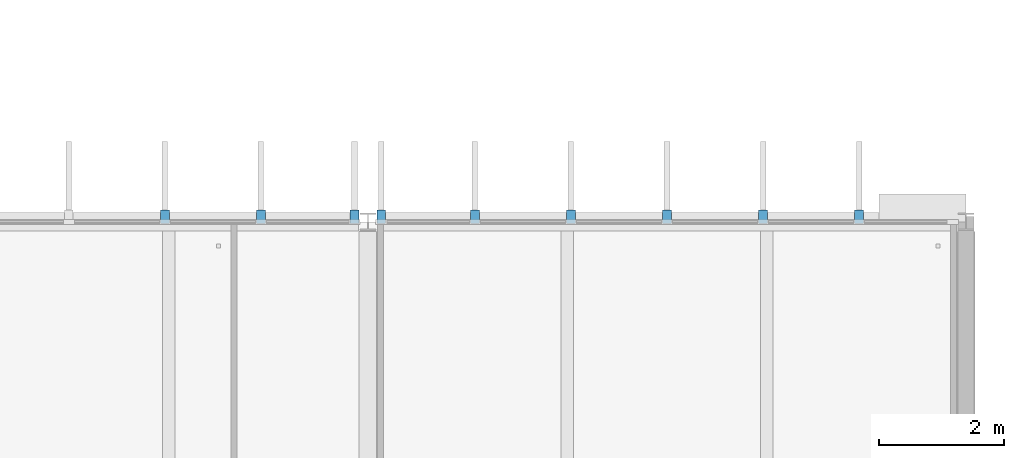
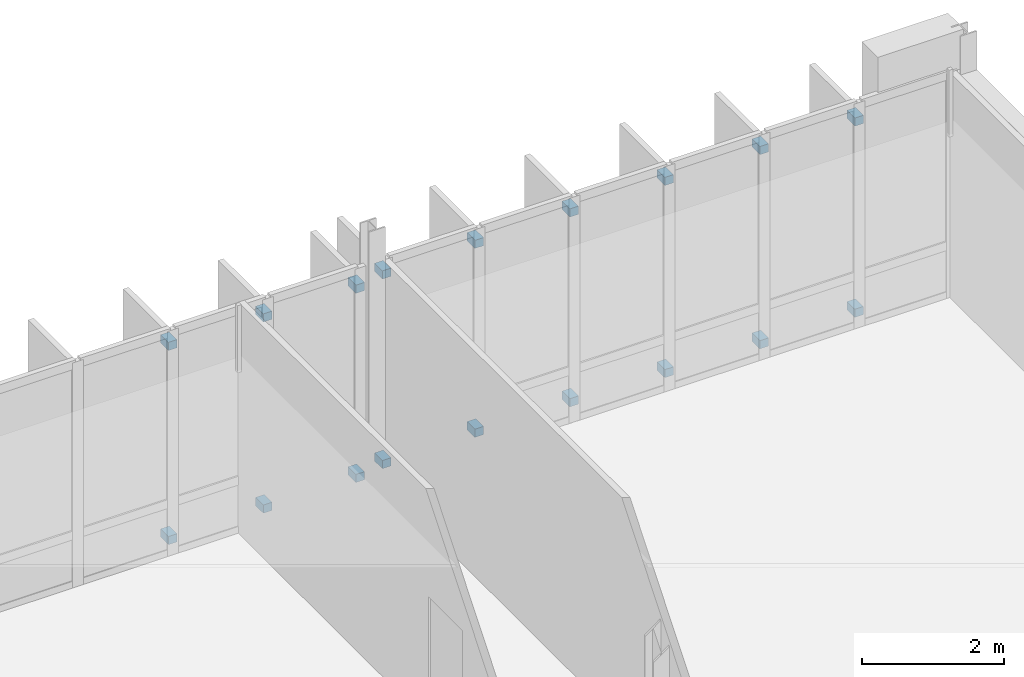
# One storey, part 83 of 93: 18 discrete accessories.
"""IFC4 building model written with IfcOpenShell, lengths in metres."""

from ifc_helpers import new_model, si_unit, direction, frame, origin, origin_2d, place, context, subcontext, project, spatial, rectangle, extrude, material, type_object, element, save


model = new_model("IFC4")

# Units and contexts
model_context = context("Model", 3, precision=1e-05, world=origin(), true_north=direction((0.0, 1.0)))
body_context = subcontext(model_context, "Body", "Model", "MODEL_VIEW")
ifc_project = project(units=[si_unit("LENGTHUNIT", "METRE"), si_unit("AREAUNIT", "SQUARE_METRE"), si_unit("VOLUMEUNIT", "CUBIC_METRE"), si_unit("PLANEANGLEUNIT", "RADIAN"), si_unit("MASSUNIT", "GRAM", prefix="KILO")], contexts=[model_context])

# Site, building, storey
site_placement = place(None, origin())
site = spatial("IfcSite", under=ifc_project, at=site_placement, CompositionType="ELEMENT")
building_placement = place(site_placement, origin())
building = spatial("IfcBuilding", under=site, at=building_placement, Name="Dunescarp Central Library", CompositionType="ELEMENT")
storey_placement = place(building_placement, frame((0.0, 0.0, 14.10009765625)))
storey = spatial("IfcBuildingStorey", under=building, at=storey_placement, Name="L03", CompositionType="ELEMENT", Elevation=14.10009765625)

# Discrete accessories
ifc_material = material(Name="Stainless steel Grade 316L", Category="steel")
discrete_accessory_type = type_object("IfcDiscreteAccessoryType", Name="ARC-ACC-BRK", PredefinedType="BRACKET", material=ifc_material)
for number, where, z_axis, x_axis, name in (
    (1, (63.94189453125, 36.8798828125, 0.18994140625), (0.0, 0.0, 1.0), (0.0, 1.0, 0.0), "Fin bracket BRK-FIN-L03-0455-B"),
    (2, (63.94189453125, 36.8798828125, 3.52099609375), (0.0, 0.0, 1.0), (0.0, 1.0, 0.0), "Fin bracket BRK-FIN-L03-0455-T"),
    (3, (65.48291015625, 36.8798828125, 0.18994140625), (0.0, 0.0, 1.0), (0.0, 1.0, 0.0), "Fin bracket BRK-FIN-L03-0456-B"),
    (4, (65.48291015625, 36.8798828125, 3.47119140625), (0.0, 0.0, 1.0), (0.0, 1.0, 0.0), "Fin bracket BRK-FIN-L03-0456-T"),
    (5, (66.985107421875, 36.8798828125, 0.18994140625), (0.0, 0.0, 1.0), (0.0, 1.0, 0.0), "Fin bracket BRK-FIN-L03-0457-B"),
    (6, (66.985107421875, 36.8798828125, 3.43798828125), (0.0, 0.0, 1.0), (0.0, 1.0, 0.0), "Fin bracket BRK-FIN-L03-0457-T"),
    (7, (67.4150390625, 36.8798828125, 0.27685546875), (0.0, 0.0, 1.0), (0.0, 1.0, 0.0), "Fin bracket BRK-FIN-L03-0458-B"),
    (8, (67.4150390625, 36.8798828125, 3.53173828125), (0.0, 0.0, 1.0), (0.0, 1.0, 0.0), "Fin bracket BRK-FIN-L03-0458-T"),
    (9, (68.9169921875, 36.8798828125, 0.2900390625), (0.0, 0.0, 1.0), (0.0, 1.0, 0.0), "Fin bracket BRK-FIN-L03-0459-B"),
    (10, (68.9169921875, 36.8798828125, 3.53173828125), (0.0, 0.0, 1.0), (0.0, 1.0, 0.0), "Fin bracket BRK-FIN-L03-0459-T"),
    (11, (70.4580078125, 36.8798828125, 0.27392578125), (0.0, 0.0, 1.0), (0.0, 1.0, 0.0), "Fin bracket BRK-FIN-L03-0460-B"),
    (12, (70.4580078125, 36.8798828125, 3.53173828125), (0.0, 0.0, 1.0), (0.0, 1.0, 0.0), "Fin bracket BRK-FIN-L03-0460-T"),
    (13, (72.0, 36.8798828125, 0.23291015625), (0.0, 0.0, 1.0), (0.0, 1.0, 0.0), "Fin bracket BRK-FIN-L03-0461-B"),
    (14, (72.0, 36.8798828125, 3.53173828125), (0.0, 0.0, 1.0), (0.0, 1.0, 0.0), "Fin bracket BRK-FIN-L03-0461-T"),
    (15, (73.5419921875, 36.8798828125, 0.18994140625), (0.0, 0.0, 1.0), (0.0, 1.0, 0.0), "Fin bracket BRK-FIN-L03-0462-B"),
    (16, (73.5419921875, 36.8798828125, 3.52099609375), (0.0, 0.0, 1.0), (0.0, 1.0, 0.0), "Fin bracket BRK-FIN-L03-0462-T"),
    (17, (75.0830078125, 36.8798828125, 0.18994140625), (0.0, 0.0, 1.0), (0.0, 1.0, 0.0), "Fin bracket BRK-FIN-L03-0463-B"),
    (18, (75.0830078125, 36.8798828125, 3.47119140625), (0.0, 0.0, 1.0), (0.0, 1.0, 0.0), "Fin bracket BRK-FIN-L03-0463-T"),
):
    element("IfcDiscreteAccessory", number, at=place(storey_placement, frame(where, z_axis=z_axis, x_axis=x_axis)), inside=storey, type_object=discrete_accessory_type, Name=name, PredefinedType="BRACKET", context=body_context, shape_type="SweptSolid", body=[
        extrude(rectangle(XDim=0.219970703125, YDim=0.139892578125, at=origin_2d()), origin(), (0.0, 0.0, 1.0), 0.139892578125),
    ])

save(model, "model.ifc")
